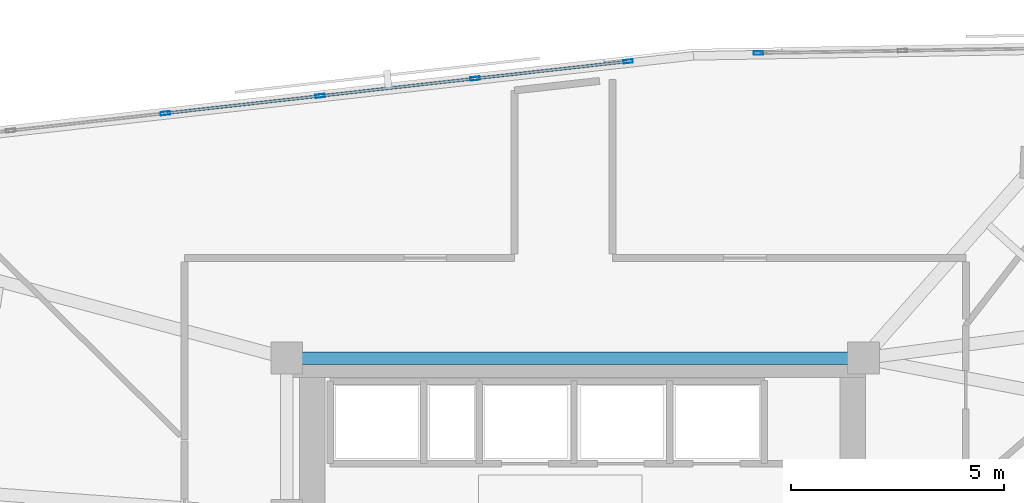
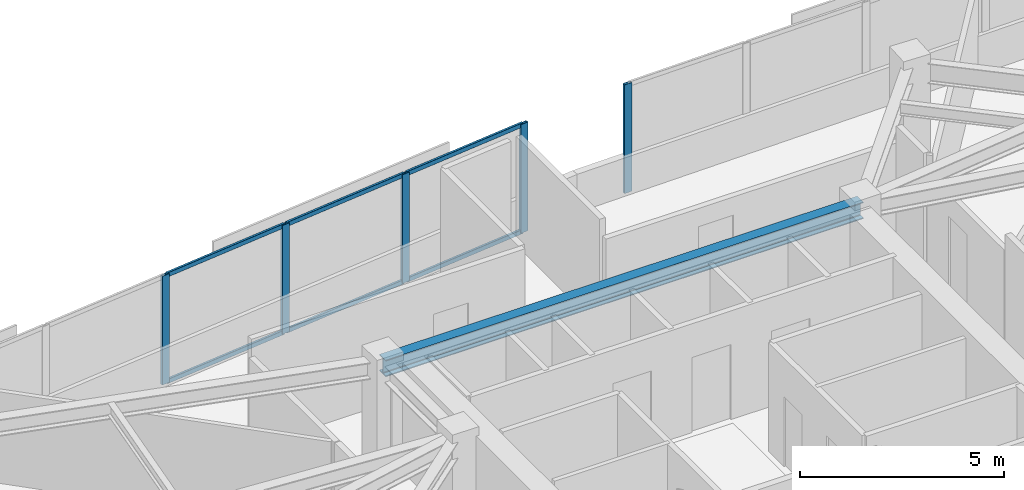
# One storey, part 3 of 13: 11 members, 1 beam, 2 elements without a shape of their own.
"""IFC4 building model written with IfcOpenShell, lengths in metres."""

from ifc_helpers import new_model, si_unit, direction, frame, origin, origin_2d, place, context, subcontext, project, spatial, hollow_rectangle, i_section, extrude, material, material_profile, profile_set, type_object, element, aggregate, save


model = new_model("IFC4")

# Units and contexts
model_context = context("Model", 3, precision=1e-05, world=origin(), true_north=direction((0.0, 1.0)))
body_context = subcontext(model_context, "Body", "Model", "MODEL_VIEW")
ifc_project = project(units=[si_unit("LENGTHUNIT", "METRE"), si_unit("AREAUNIT", "SQUARE_METRE"), si_unit("VOLUMEUNIT", "CUBIC_METRE"), si_unit("PLANEANGLEUNIT", "RADIAN"), si_unit("MASSUNIT", "GRAM", prefix="KILO")], contexts=[model_context])

# Site, building, storey
site_placement = place(None, origin())
site = spatial("IfcSite", under=ifc_project, at=site_placement, CompositionType="ELEMENT")
building_placement = place(site_placement, origin())
building = spatial("IfcBuilding", under=site, at=building_placement, Name="Narakoshi Arena Tower", CompositionType="ELEMENT")
storey_placement = place(building_placement, frame((0.0, 0.0, 264.260009765625)))
storey = spatial("IfcBuildingStorey", under=building, at=storey_placement, Name="L72", CompositionType="ELEMENT", Elevation=264.260009765625)

# Beam
ifc_material_1 = material(Name="Structural steel S355J2", Category="steel")
ifc_material_profile_1 = material_profile(ifc_material_1, i_section(OverallWidth=0.300048828125, OverallDepth=0.5, WebThickness=0.014404296875, FlangeThickness=0.028076171875, FilletRadius=0.027099609375, at=origin_2d()), Name="HE500B")
ifc_profile_set_1 = profile_set([ifc_material_profile_1], Name="Structural steel S355J2")
beam_type = type_object("IfcBeamType", Name="BM-PRI-500", PredefinedType="BEAM", material=ifc_profile_set_1)
beam_placement = place(storey_placement, frame((72.0, 56.5, 3.010009765625), z_axis=(1.0, 0.0, 0.0), x_axis=(0.0, 1.0, 0.0)))
element("IfcBeam", 1, at=beam_placement, inside=storey, type_object=beam_type, Name="L72 Core Perimeter Frame Beam CC5-CC6", PredefinedType="BEAM", context=body_context, shape_type="SweptSolid", body=[
    extrude(i_section(OverallWidth=0.300048828125, OverallDepth=0.5, WebThickness=0.014404296875, FlangeThickness=0.028076171875, FilletRadius=0.027099609375, at=origin_2d()), origin(), (0.0, 0.0, 1.0), 13.550048828125),
])

# Curtain wall, member
ifc_material_2 = material(Name="Anodised bronze aluminium 6063-T6", Category="aluminium")
curtain_wall_type = type_object("IfcCurtainWallType", Name="CW-HYP-HIGH", PredefinedType="NOTDEFINED", material=ifc_material_2)
curtain_wall_1_placement = place(storey_placement, origin())
curtain_wall_1 = element("IfcCurtainWall", 2, at=curtain_wall_1_placement, inside=storey, type_object=curtain_wall_type, Name="L72 Folded Hypotenuse Curtain Wall 1-1", PredefinedType="NOTDEFINED")
ifc_material_profile_2 = material_profile(ifc_material_2, hollow_rectangle(XDim=0.080078125, YDim=0.219970703125, WallThickness=0.0048828125, OuterFilletRadius=0.006103515625, at=origin_2d()), Name="MUL220x80x5")
ifc_profile_set_2 = profile_set([ifc_material_profile_2], Name="Anodised bronze aluminium 6063-T6")
member_type_1 = type_object("IfcMemberType", Name="MEM-MUL-220", PredefinedType="MULLION", material=ifc_profile_set_2)
member_1_placement = place(storey_placement, frame((83.08056640625, 63.668212890625, 0.0), z_axis=(0.0, 0.0, 1.0), x_axis=(0.016442997569, -0.999864804777, 0.0)))
member_1 = element("IfcMember", 3, at=member_1_placement, type_object=member_type_1, Name="CW-03 mullion 9", PredefinedType="MULLION", context=body_context, shape_type="SweptSolid", body=[
    extrude(hollow_rectangle(XDim=0.080078125, YDim=0.219970703125, WallThickness=0.0048828125, OuterFilletRadius=0.006103515625, at=origin_2d()), origin(), (0.0, 0.0, 1.0), 3.260009765625),
])
aggregate(curtain_wall_1, [member_1])

# Curtain wall, members
curtain_wall_2_placement = place(storey_placement, origin())
curtain_wall_2 = element("IfcCurtainWall", 4, at=curtain_wall_2_placement, inside=storey, type_object=curtain_wall_type, Name="L72 Folded Hypotenuse Curtain Wall 2-1", PredefinedType="NOTDEFINED")
member_2_placement = place(storey_placement, frame((80.021728515625, 63.471923828125, 0.0), z_axis=(0.0, 0.0, 1.0), x_axis=(0.111396496086, -0.9937760415, 0.0)))
member_2 = element("IfcMember", 5, at=member_2_placement, type_object=member_type_1, Name="CW-03 mullion 1", PredefinedType="MULLION", context=body_context, shape_type="SweptSolid", body=[
    extrude(hollow_rectangle(XDim=0.080078125, YDim=0.219970703125, WallThickness=0.0048828125, OuterFilletRadius=0.006103515625, at=origin_2d()), origin(), (0.0, 0.0, 1.0), 3.260009765625),
])
member_3_placement = place(storey_placement, frame((76.423828125, 63.06884765625, 0.0), z_axis=(0.0, 0.0, 1.0), x_axis=(0.111396496086, -0.9937760415, 0.0)))
member_3 = element("IfcMember", 6, at=member_3_placement, type_object=member_type_1, Name="CW-03 mullion 2", PredefinedType="MULLION", context=body_context, shape_type="SweptSolid", body=[
    extrude(hollow_rectangle(XDim=0.080078125, YDim=0.219970703125, WallThickness=0.0048828125, OuterFilletRadius=0.006103515625, at=origin_2d()), origin(), (0.0, 0.0, 1.0), 3.260009765625),
])
member_4_placement = place(storey_placement, frame((72.786376953125, 62.660888671875, 0.0), z_axis=(0.0, 0.0, 1.0), x_axis=(0.111396496086, -0.9937760415, 0.0)))
member_4 = element("IfcMember", 7, at=member_4_placement, type_object=member_type_1, Name="CW-03 mullion 3", PredefinedType="MULLION", context=body_context, shape_type="SweptSolid", body=[
    extrude(hollow_rectangle(XDim=0.080078125, YDim=0.219970703125, WallThickness=0.0048828125, OuterFilletRadius=0.006103515625, at=origin_2d()), origin(), (0.0, 0.0, 1.0), 3.260009765625),
])
member_5_placement = place(storey_placement, frame((69.148681640625, 62.253173828125, 0.0), z_axis=(0.0, 0.0, 1.0), x_axis=(0.111396496086, -0.9937760415, 0.0)))
member_5 = element("IfcMember", 8, at=member_5_placement, type_object=member_type_1, Name="CW-03 mullion 4", PredefinedType="MULLION", context=body_context, shape_type="SweptSolid", body=[
    extrude(hollow_rectangle(XDim=0.080078125, YDim=0.219970703125, WallThickness=0.0048828125, OuterFilletRadius=0.006103515625, at=origin_2d()), origin(), (0.0, 0.0, 1.0), 3.260009765625),
])
ifc_material_profile_3 = material_profile(ifc_material_2, hollow_rectangle(XDim=0.06494140625, YDim=0.1298828125, WallThickness=0.00390625, OuterFilletRadius=0.0048828125, at=origin_2d()), Name="TRN130x65x4")
ifc_profile_set_3 = profile_set([ifc_material_profile_3], Name="Anodised bronze aluminium 6063-T6")
member_type_2 = type_object("IfcMemberType", Name="MEM-TRN-130", PredefinedType="USERDEFINED", material=ifc_profile_set_3)
member_6_placement = place(storey_placement, frame((79.98193359375, 63.467529296875, 0.032470703125), z_axis=(-0.993779010945, -0.111370002267, 0.0), x_axis=(0.111370002267, -0.993779010945, 0.0)))
member_6 = element("IfcMember", 9, at=member_6_placement, type_object=member_type_2, Name="CW-03 transom 1.1", ObjectType="TRANSOM", PredefinedType="USERDEFINED", context=body_context, shape_type="SweptSolid", body=[
    extrude(hollow_rectangle(XDim=0.06494140625, YDim=0.1298828125, WallThickness=0.00390625, OuterFilletRadius=0.0048828125, at=origin_2d()), origin(), (0.0, 0.0, 1.0), 3.540283203125),
])
member_7_placement = place(storey_placement, frame((79.98193359375, 63.467529296875, 3.2275390625), z_axis=(-0.993779010945, -0.111370002267, 0.0), x_axis=(0.111370002267, -0.993779010945, 0.0)))
member_7 = element("IfcMember", 10, at=member_7_placement, type_object=member_type_2, Name="CW-03 transom 1.2", ObjectType="TRANSOM", PredefinedType="USERDEFINED", context=body_context, shape_type="SweptSolid", body=[
    extrude(hollow_rectangle(XDim=0.06494140625, YDim=0.1298828125, WallThickness=0.00390625, OuterFilletRadius=0.0048828125, at=origin_2d()), origin(), (0.0, 0.0, 1.0), 3.540283203125),
])
member_8_placement = place(storey_placement, frame((76.38427734375, 63.064208984375, 0.032470703125), z_axis=(-0.993781025425, -0.111352025149, 0.0), x_axis=(0.111352025149, -0.993781025425, 0.0)))
member_8 = element("IfcMember", 11, at=member_8_placement, type_object=member_type_2, Name="CW-03 transom 2.1", ObjectType="TRANSOM", PredefinedType="USERDEFINED", context=body_context, shape_type="SweptSolid", body=[
    extrude(hollow_rectangle(XDim=0.06494140625, YDim=0.1298828125, WallThickness=0.00390625, OuterFilletRadius=0.0048828125, at=origin_2d()), origin(), (0.0, 0.0, 1.0), 3.580322265625),
])
member_9_placement = place(storey_placement, frame((76.38427734375, 63.064208984375, 3.2275390625), z_axis=(-0.993781025425, -0.111352025149, 0.0), x_axis=(0.111352025149, -0.993781025425, 0.0)))
member_9 = element("IfcMember", 12, at=member_9_placement, type_object=member_type_2, Name="CW-03 transom 2.2", ObjectType="TRANSOM", PredefinedType="USERDEFINED", context=body_context, shape_type="SweptSolid", body=[
    extrude(hollow_rectangle(XDim=0.06494140625, YDim=0.1298828125, WallThickness=0.00390625, OuterFilletRadius=0.0048828125, at=origin_2d()), origin(), (0.0, 0.0, 1.0), 3.580322265625),
])
member_10_placement = place(storey_placement, frame((72.74658203125, 62.656494140625, 0.032470703125), z_axis=(-0.993781025425, -0.111352025149, 0.0), x_axis=(0.111352025149, -0.993781025425, 0.0)))
member_10 = element("IfcMember", 13, at=member_10_placement, type_object=member_type_2, Name="CW-03 transom 3.1", ObjectType="TRANSOM", PredefinedType="USERDEFINED", context=body_context, shape_type="SweptSolid", body=[
    extrude(hollow_rectangle(XDim=0.06494140625, YDim=0.1298828125, WallThickness=0.00390625, OuterFilletRadius=0.0048828125, at=origin_2d()), origin(), (0.0, 0.0, 1.0), 3.580322265625),
])
member_11_placement = place(storey_placement, frame((72.74658203125, 62.656494140625, 3.2275390625), z_axis=(-0.993781025425, -0.111352025149, 0.0), x_axis=(0.111352025149, -0.993781025425, 0.0)))
member_11 = element("IfcMember", 14, at=member_11_placement, type_object=member_type_2, Name="CW-03 transom 3.2", ObjectType="TRANSOM", PredefinedType="USERDEFINED", context=body_context, shape_type="SweptSolid", body=[
    extrude(hollow_rectangle(XDim=0.06494140625, YDim=0.1298828125, WallThickness=0.00390625, OuterFilletRadius=0.0048828125, at=origin_2d()), origin(), (0.0, 0.0, 1.0), 3.580322265625),
])
aggregate(curtain_wall_2, [member_2, member_3, member_4, member_5, member_6, member_7, member_8, member_9, member_10, member_11])

save(model, "model.ifc")
